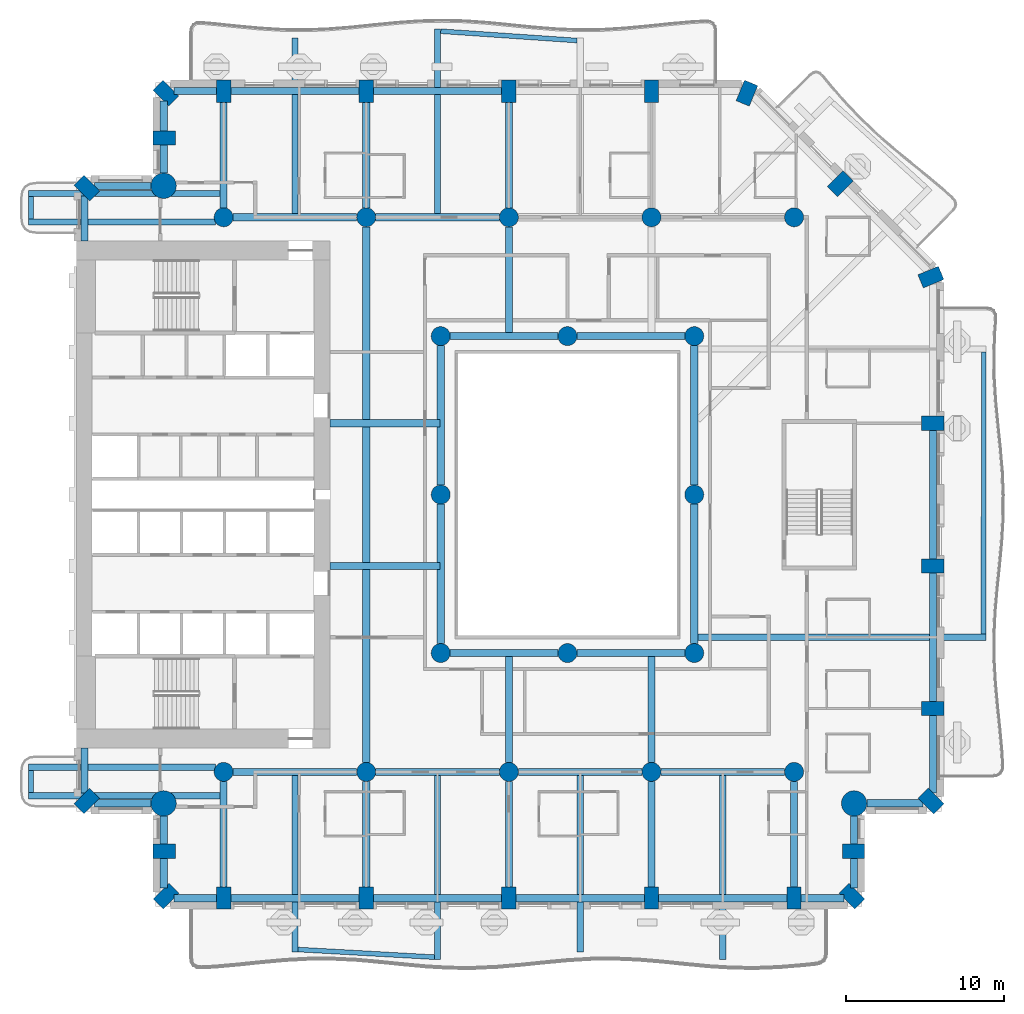
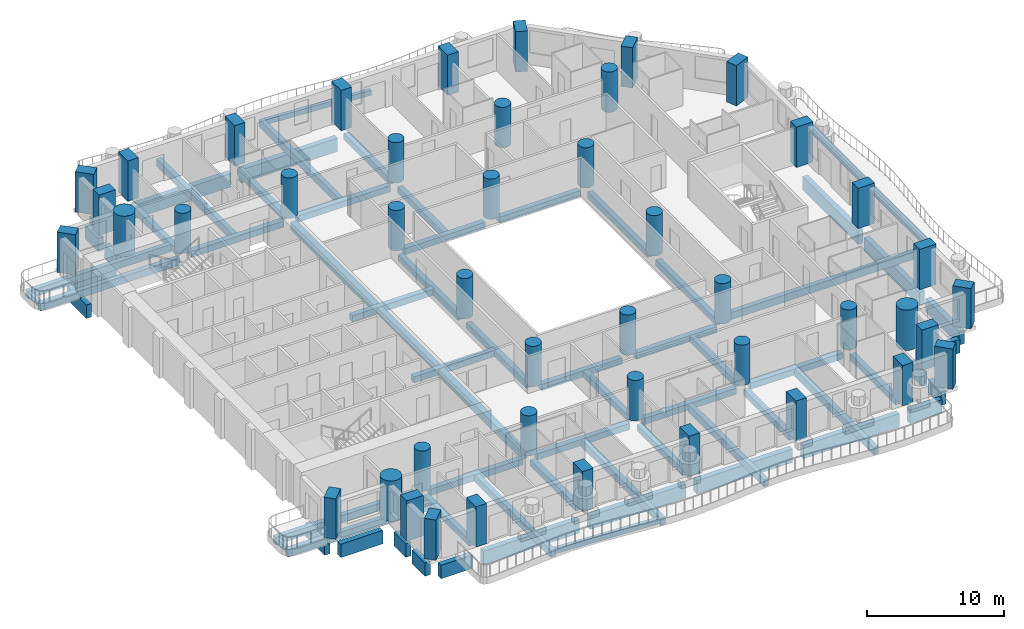
# One storey, part 1 of 20: 69 beams, 45 columns.
"""IFC4 building model written with IfcOpenShell, lengths in metres."""

from ifc_helpers import new_model, si_unit, direction, frame, origin, origin_2d, place, context, subcontext, project, spatial, rectangle, circle, extrude, material, material_profile, profile_set, type_object, element, save


model = new_model("IFC4")

# Units and contexts
model_context = context("Model", 3, precision=1e-05, world=origin(), true_north=direction((0.0, 1.0)))
body_context = subcontext(model_context, "Body", "Model", "MODEL_VIEW")
ifc_project = project(units=[si_unit("LENGTHUNIT", "METRE"), si_unit("AREAUNIT", "SQUARE_METRE"), si_unit("VOLUMEUNIT", "CUBIC_METRE"), si_unit("PLANEANGLEUNIT", "RADIAN"), si_unit("MASSUNIT", "GRAM", prefix="KILO")], contexts=[model_context])

# Site, building, storey
site_placement = place(None, origin())
site = spatial("IfcSite", under=ifc_project, at=site_placement, CompositionType="ELEMENT")
building_placement = place(site_placement, origin())
building = spatial("IfcBuilding", under=site, at=building_placement, Name="Cypress Arch Tower", CompositionType="ELEMENT")
storey_placement = place(building_placement, frame((0.0, 0.0, 77.10009765625)))
storey = spatial("IfcBuildingStorey", under=building, at=storey_placement, Name="L13", CompositionType="ELEMENT", Elevation=77.10009765625)

# Columns
ifc_material_1 = material(Name="Concrete C80/95", Category="concrete")
ifc_material_profile_1 = material_profile(ifc_material_1, rectangle(XDim=0.89990234375, YDim=1.39990234375, at=origin_2d()), Name="RC 900x1400")
ifc_profile_set_1 = profile_set([ifc_material_profile_1], Name="Concrete C80/95")
column_type_1 = type_object("IfcColumnType", Name="Column RC 900x1400 Concrete C80/95", PredefinedType="COLUMN", material=ifc_profile_set_1)
for number, where, z_axis, x_axis, name in (
    (1, (-29.3369140625, 19.3369140625, 0.0), (0.0, 0.0, 1.0), (-0.707106781187, -0.707106781187, 0.0), "Column L13 CA00"),
    (2, (-29.3369140625, -19.3369140625, 0.0), (0.0, 0.0, 1.0), (0.707106781187, -0.707106781187, 0.0), "Column L13 CA01"),
    (3, (-24.449951171875, -22.5, 0.0), (0.0, 0.0, 1.0), (0.0, -1.0, 0.0), "Column L13 CA03"),
    (4, (-24.3369140625, -25.3369140625, 0.0), (0.0, 0.0, 1.0), (0.707106781187, -0.707106781187, 0.0), "Column L13 CA04"),
    (5, (-20.699951171875, -25.449951171875, 0.0), (0.0, 0.0, 1.0), (1.0, 0.0, 0.0), "Column L13 CA05"),
    (6, (-11.699951171875, -25.449951171875, 0.0), (0.0, 0.0, 1.0), (1.0, 0.0, 0.0), "Column L13 CA06"),
    (7, (-2.699951171875, -25.449951171875, 0.0), (0.0, 0.0, 1.0), (1.0, 0.0, 0.0), "Column L13 CA07"),
    (8, (6.300048828125, -25.449951171875, 0.0), (0.0, 0.0, 1.0), (1.0, 0.0, 0.0), "Column L13 CA08"),
    (9, (15.300048828125, -25.449951171875, 0.0), (0.0, 0.0, 1.0), (1.0, 0.0, 0.0), "Column L13 CA09"),
    (10, (18.936767578125, -25.3369140625, 0.0), (0.0, 0.0, 1.0), (0.707106781187, 0.707106781187, 0.0), "Column L13 CA10"),
    (11, (19.050048828125, -22.5, 0.0), (0.0, 0.0, 1.0), (0.0, 1.0, 0.0), "Column L13 CA11"),
    (12, (23.936767578125, -19.3369140625, 0.0), (0.0, 0.0, 1.0), (0.707106781187, 0.707106781187, 0.0), "Column L13 CA13"),
    (13, (24.050048828125, -13.5, 0.0), (0.0, 0.0, 1.0), (0.0, 1.0, 0.0), "Column L13 CA14"),
    (14, (24.050048828125, -4.5, 0.0), (0.0, 0.0, 1.0), (0.0, 1.0, 0.0), "Column L13 CA15"),
    (15, (24.050048828125, 4.5, 0.0), (0.0, 0.0, 1.0), (0.0, 1.0, 0.0), "Column L13 CA16"),
    (16, (23.93115234375, 13.722900390625, 0.0), (0.0, 0.0, 1.0), (-0.382683496864, 0.923879505795, 0.0), "Column L13 CA17"),
    (17, (18.211181640625, 19.611083984375, 0.0), (0.0, 0.0, 1.0), (-0.707106781187, 0.707106781187, 0.0), "Column L13 CA18"),
    (18, (12.322998046875, 25.3310546875, 0.0), (0.0, 0.0, 1.0), (-0.923879505795, 0.382683496864, 0.0), "Column L13 CA19"),
    (19, (6.300048828125, 25.449951171875, 0.0), (0.0, 0.0, 1.0), (-1.0, 0.0, 0.0), "Column L13 CA20"),
    (20, (-2.699951171875, 25.449951171875, 0.0), (0.0, 0.0, 1.0), (-1.0, 0.0, 0.0), "Column L13 CA21"),
    (21, (-11.699951171875, 25.449951171875, 0.0), (0.0, 0.0, 1.0), (-1.0, 0.0, 0.0), "Column L13 CA22"),
    (22, (-20.699951171875, 25.449951171875, 0.0), (0.0, 0.0, 1.0), (-1.0, 0.0, 0.0), "Column L13 CA23"),
    (23, (-24.3369140625, 25.3369140625, 0.0), (0.0, 0.0, 1.0), (-0.707106781187, -0.707106781187, 0.0), "Column L13 CA24"),
    (24, (-24.449951171875, 22.5, 0.0), (0.0, 0.0, 1.0), (0.0, -1.0, 0.0), "Column L13 CA25"),
):
    element("IfcColumn", number, at=place(storey_placement, frame(where, z_axis=z_axis, x_axis=x_axis)), inside=storey, type_object=column_type_1, Name=name, PredefinedType="COLUMN", context=body_context, shape_type="SweptSolid", body=[
        extrude(rectangle(XDim=0.89990234375, YDim=1.39990234375, at=origin_2d()), origin(), (0.0, 0.0, 1.0), 3.599853515625),
    ])
ifc_material_2 = material(Name="Concrete C80/95", Category="concrete")
ifc_material_profile_2 = material_profile(ifc_material_2, circle(Radius=0.60009765625, at=origin_2d()), Name="RC D1200")
ifc_profile_set_2 = profile_set([ifc_material_profile_2], Name="Concrete C80/95")
column_type_2 = type_object("IfcColumnType", Name="Column RC D1200 Concrete C80/95", PredefinedType="COLUMN", material=ifc_profile_set_2)
for number, where, z_axis, x_axis, name in (
    (25, (-20.699951171875, -17.5, 0.0), (0.0, 0.0, 1.0), (1.0, 0.0, 0.0), "Column L13 CIC-L13-CI3S"),
    (26, (-11.699951171875, -17.5, 0.0), (0.0, 0.0, 1.0), (1.0, 0.0, 0.0), "Column L13 CIC-L13-CI4S"),
    (27, (-2.699951171875, -17.5, 0.0), (0.0, 0.0, 1.0), (1.0, 0.0, 0.0), "Column L13 CIC-L13-CI5S"),
    (28, (6.300048828125, -17.5, 0.0), (0.0, 0.0, 1.0), (1.0, 0.0, 0.0), "Column L13 CIC-L13-CI6S"),
    (29, (15.300048828125, -17.5, 0.0), (0.0, 0.0, 1.0), (1.0, 0.0, 0.0), "Column L13 CIC-L13-CI7S"),
    (30, (-20.699951171875, 17.5, 0.0), (0.0, 0.0, 1.0), (1.0, 0.0, 0.0), "Column L13 CIC-L13-CI3N"),
    (31, (-11.699951171875, 17.5, 0.0), (0.0, 0.0, 1.0), (1.0, 0.0, 0.0), "Column L13 CIC-L13-CI4N"),
    (32, (-2.699951171875, 17.5, 0.0), (0.0, 0.0, 1.0), (1.0, 0.0, 0.0), "Column L13 CIC-L13-CI5N"),
    (33, (6.300048828125, 17.5, 0.0), (0.0, 0.0, 1.0), (1.0, 0.0, 0.0), "Column L13 CIC-L13-CI6N"),
    (34, (15.300048828125, 17.5, 0.0), (0.0, 0.0, 1.0), (1.0, 0.0, 0.0), "Column L13 CIC-L13-CI7N"),
    (35, (-7.0, -10.0, 0.0), (0.0, 0.0, 1.0), (1.0, 0.0, 0.0), "Column L13 RNG-L13-G-7-10"),
    (36, (-7.0, 0.0, 0.0), (0.0, 0.0, 1.0), (1.0, 0.0, 0.0), "Column L13 RNG-L13-G-7+0"),
    (37, (-7.0, 10.0, 0.0), (0.0, 0.0, 1.0), (1.0, 0.0, 0.0), "Column L13 RNG-L13-G-7+10"),
    (38, (1.0, -10.0, 0.0), (0.0, 0.0, 1.0), (1.0, 0.0, 0.0), "Column L13 RNG-L13-G+1-10"),
    (39, (1.0, 10.0, 0.0), (0.0, 0.0, 1.0), (1.0, 0.0, 0.0), "Column L13 RNG-L13-G+1+10"),
    (40, (9.0, -10.0, 0.0), (0.0, 0.0, 1.0), (1.0, 0.0, 0.0), "Column L13 RNG-L13-G+9-10"),
    (41, (9.0, 0.0, 0.0), (0.0, 0.0, 1.0), (1.0, 0.0, 0.0), "Column L13 RNG-L13-G+9+0"),
    (42, (9.0, 10.0, 0.0), (0.0, 0.0, 1.0), (1.0, 0.0, 0.0), "Column L13 RNG-L13-G+9+10"),
):
    element("IfcColumn", number, at=place(storey_placement, frame(where, z_axis=z_axis, x_axis=x_axis)), inside=storey, type_object=column_type_2, Name=name, PredefinedType="COLUMN", context=body_context, shape_type="SweptSolid", body=[
        extrude(circle(Radius=0.60009765625, at=origin_2d()), origin(), (0.0, 0.0, 1.0), 3.599853515625),
    ])
ifc_material_3 = material(Name="Concrete C80/95", Category="concrete")
ifc_material_profile_3 = material_profile(ifc_material_3, circle(Radius=0.800048828125, at=origin_2d()), Name="RC D1600")
ifc_profile_set_3 = profile_set([ifc_material_profile_3], Name="Concrete C80/95")
column_type_3 = type_object("IfcColumnType", Name="Mega-column RC D1600 Concrete C80/95", PredefinedType="COLUMN", material=ifc_profile_set_3)
for number, where, z_axis, x_axis, name in (
    (43, (-24.48779296875, -19.48779296875, 0.0), (0.0, 0.0, 1.0), (1.0, 0.0, 0.0), "Column L13 CA02"),
    (44, (19.087890625, -19.48779296875, 0.0), (0.0, 0.0, 1.0), (1.0, 0.0, 0.0), "Column L13 CA12"),
    (45, (-24.48779296875, 19.48779296875, 0.0), (0.0, 0.0, 1.0), (1.0, 0.0, 0.0), "Column L13 CA26"),
):
    element("IfcColumn", number, at=place(storey_placement, frame(where, z_axis=z_axis, x_axis=x_axis)), inside=storey, type_object=column_type_3, Name=name, PredefinedType="COLUMN", context=body_context, shape_type="SweptSolid", body=[
        extrude(circle(Radius=0.800048828125, at=origin_2d()), origin(), (0.0, 0.0, 1.0), 3.599853515625),
    ])

# Beams
ifc_material_4 = material(Name="Concrete C50/60", Category="concrete")
ifc_material_profile_4 = material_profile(ifc_material_4, rectangle(XDim=0.300048828125, YDim=0.449951171875, at=origin_2d()), Name="RC 300x450")
ifc_profile_set_4 = profile_set([ifc_material_profile_4], Name="Concrete C50/60")
beam_type_1 = type_object("IfcBeamType", Name="Balcony edge beam RC 300x450 Concrete C50/60", PredefinedType="BEAM", material=ifc_profile_set_4)
beam_1_placement = place(storey_placement, frame((-16.0, -28.70947265625, -0.525146484375), z_axis=(0.998439878073, -0.05583735195, 0.0), x_axis=(0.05583735195, 0.998439878073, 0.0)))
element("IfcBeam", 46, at=beam_1_placement, inside=storey, type_object=beam_type_1, Name="Balcony edge beam L13 A03", PredefinedType="BEAM", context=body_context, shape_type="SweptSolid", body=[
    extrude(rectangle(XDim=0.300048828125, YDim=0.449951171875, at=origin_2d()), origin(), (0.0, 0.0, 1.0), 8.613525390625),
])
beam_2_placement = place(storey_placement, frame((1.60009765625, 28.65380859375, -0.525146484375), z_axis=(-0.997663993213, 0.068312199842, 0.0), x_axis=(-0.068312199842, -0.997663993213, 0.0)))
element("IfcBeam", 47, at=beam_2_placement, inside=storey, type_object=beam_type_1, Name="Balcony edge beam L13 A08", PredefinedType="BEAM", context=body_context, shape_type="SweptSolid", body=[
    extrude(rectangle(XDim=0.300048828125, YDim=0.449951171875, at=origin_2d()), origin(), (0.0, 0.0, 1.0), 8.6201171875),
])
ifc_material_5 = material(Name="Concrete C50/60", Category="concrete")
ifc_material_profile_5 = material_profile(ifc_material_5, rectangle(XDim=0.300048828125, YDim=0.64990234375, at=origin_2d()), Name="RC 300x650")
ifc_profile_set_5 = profile_set([ifc_material_profile_5], Name="Concrete C50/60")
beam_type_2 = type_object("IfcBeamType", Name="Balcony edge beam RC 300x650 Concrete C50/60", PredefinedType="BEAM", material=ifc_profile_set_5)
beam_3_placement = place(storey_placement, frame((27.257080078125, -8.800048828125, -0.625), z_axis=(0.000494104992, 0.99999987793, 0.0), x_axis=(-0.99999987793, 0.000494104992, 0.0)))
element("IfcBeam", 48, at=beam_3_placement, inside=storey, type_object=beam_type_2, Name="Balcony edge beam L13 A06", PredefinedType="BEAM", context=body_context, shape_type="SweptSolid", body=[
    extrude(rectangle(XDim=0.300048828125, YDim=0.64990234375, at=origin_2d()), origin(), (0.0, 0.0, 1.0), 17.787841796875),
])
ifc_material_6 = material(Name="Concrete C50/60", Category="concrete")
ifc_material_profile_6 = material_profile(ifc_material_6, rectangle(XDim=0.300048828125, YDim=0.39990234375, at=origin_2d()), Name="RC 300x400")
ifc_profile_set_6 = profile_set([ifc_material_profile_6], Name="Concrete C50/60")
beam_type_3 = type_object("IfcBeamType", Name="Balcony stub beam RC 300x400 Concrete C50/60", PredefinedType="BEAM", material=ifc_profile_set_6)
for number, where, z_axis, x_axis, name in (
    (49, (-32.85009765625, 18.800048828125, -0.5), (0.0, -1.0, 0.0), (1.0, 0.0, 0.0), "Balcony stub beam L13 A00W0"),
    (50, (-32.85009765625, -17.39990234375, -0.5), (0.0, -1.0, 0.0), (1.0, 0.0, 0.0), "Balcony stub beam L13 A00W1"),
):
    element("IfcBeam", number, at=place(storey_placement, frame(where, z_axis=z_axis, x_axis=x_axis)), inside=storey, type_object=beam_type_3, Name=name, PredefinedType="BEAM", context=body_context, shape_type="SweptSolid", body=[
        extrude(rectangle(XDim=0.300048828125, YDim=0.39990234375, at=origin_2d()), origin(), (0.0, 0.0, 1.0), 1.400146484375),
    ])
ifc_material_7 = material(Name="Concrete C50/60", Category="concrete")
ifc_material_profile_7 = material_profile(ifc_material_7, rectangle(XDim=0.39990234375, YDim=0.64990234375, at=origin_2d()), Name="RC 400x650")
ifc_profile_set_7 = profile_set([ifc_material_profile_7], Name="Concrete C50/60")
beam_type_4 = type_object("IfcBeamType", Name="Cantilever beam RC 400x650 Concrete C50/60", PredefinedType="BEAM", material=ifc_profile_set_7)
beam_4_placement = place(storey_placement, frame((-20.925048828125, 19.0, -0.625), z_axis=(-1.0, 0.0, 0.0), x_axis=(0.0, -1.0, 0.0)))
element("IfcBeam", 51, at=beam_4_placement, inside=storey, type_object=beam_type_4, Name="Cantilever beam L13 A00 1", PredefinedType="BEAM", context=body_context, shape_type="SweptSolid", body=[
    extrude(rectangle(XDim=0.39990234375, YDim=0.64990234375, at=origin_2d()), origin(), (0.0, 0.0, 1.0), 12.074951171875),
])
for number, where, z_axis, x_axis, name in (
    (52, (-21.219482421875, 17.199951171875, -0.625), (-1.0, 0.0, 0.0), (0.0, -1.0, 0.0), "Cantilever beam L13 A00 2"),
    (53, (-21.219482421875, -17.199951171875, -0.625), (-1.0, 0.0, 0.0), (0.0, -1.0, 0.0), "Cantilever beam L13 A00 1"),
):
    element("IfcBeam", number, at=place(storey_placement, frame(where, z_axis=z_axis, x_axis=x_axis)), inside=storey, type_object=beam_type_4, Name=name, PredefinedType="BEAM", context=body_context, shape_type="SweptSolid", body=[
        extrude(rectangle(XDim=0.39990234375, YDim=0.64990234375, at=origin_2d()), origin(), (0.0, 0.0, 1.0), 11.780517578125),
    ])
beam_5_placement = place(storey_placement, frame((-20.925048828125, -19.0, -0.625), z_axis=(-1.0, 0.0, 0.0), x_axis=(0.0, -1.0, 0.0)))
element("IfcBeam", 54, at=beam_5_placement, inside=storey, type_object=beam_type_4, Name="Cantilever beam L13 A00 2", PredefinedType="BEAM", context=body_context, shape_type="SweptSolid", body=[
    extrude(rectangle(XDim=0.39990234375, YDim=0.64990234375, at=origin_2d()), origin(), (0.0, 0.0, 1.0), 12.074951171875),
])
beam_6_placement = place(storey_placement, frame((-16.199951171875, -17.72509765625, -0.625), z_axis=(0.0, -1.0, 0.0), x_axis=(1.0, 0.0, 0.0)))
element("IfcBeam", 55, at=beam_6_placement, inside=storey, type_object=beam_type_4, Name="Cantilever beam L13 A03 1", PredefinedType="BEAM", context=body_context, shape_type="SweptSolid", body=[
    extrude(rectangle(XDim=0.39990234375, YDim=0.64990234375, at=origin_2d()), origin(), (0.0, 0.0, 1.0), 11.13427734375),
])
beam_7_placement = place(storey_placement, frame((-7.199951171875, -17.72509765625, -0.625), z_axis=(0.0, -1.0, 0.0), x_axis=(1.0, 0.0, 0.0)))
element("IfcBeam", 56, at=beam_7_placement, inside=storey, type_object=beam_type_4, Name="Cantilever beam L13 A03 2", PredefinedType="BEAM", context=body_context, shape_type="SweptSolid", body=[
    extrude(rectangle(XDim=0.39990234375, YDim=0.64990234375, at=origin_2d()), origin(), (0.0, 0.0, 1.0), 11.615234375),
])
beam_8_placement = place(storey_placement, frame((1.800048828125, -17.72509765625, -0.625), z_axis=(0.0, -1.0, 0.0), x_axis=(1.0, 0.0, 0.0)))
element("IfcBeam", 57, at=beam_8_placement, inside=storey, type_object=beam_type_4, Name="Cantilever beam L13 A03 3", PredefinedType="BEAM", context=body_context, shape_type="SweptSolid", body=[
    extrude(rectangle(XDim=0.39990234375, YDim=0.64990234375, at=origin_2d()), origin(), (0.0, 0.0, 1.0), 11.134521484375),
])
beam_9_placement = place(storey_placement, frame((10.800048828125, -17.72509765625, -0.625), z_axis=(0.0, -1.0, 0.0), x_axis=(1.0, 0.0, 0.0)))
element("IfcBeam", 58, at=beam_9_placement, inside=storey, type_object=beam_type_4, Name="Cantilever beam L13 A03 4", PredefinedType="BEAM", context=body_context, shape_type="SweptSolid", body=[
    extrude(rectangle(XDim=0.39990234375, YDim=0.64990234375, at=origin_2d()), origin(), (0.0, 0.0, 1.0), 11.61572265625),
])
beam_10_placement = place(storey_placement, frame((9.22509765625, -9.0, -0.625), z_axis=(1.0, 0.0, 0.0), x_axis=(0.0, 1.0, 0.0)))
element("IfcBeam", 59, at=beam_10_placement, inside=storey, type_object=beam_type_4, Name="Cantilever beam L13 A06 1", PredefinedType="BEAM", context=body_context, shape_type="SweptSolid", body=[
    extrude(rectangle(XDim=0.39990234375, YDim=0.64990234375, at=origin_2d()), origin(), (0.0, 0.0, 1.0), 18.181884765625),
])
beam_11_placement = place(storey_placement, frame((-7.199951171875, 17.72509765625, -0.625), z_axis=(0.0, 1.0, 0.0), x_axis=(-1.0, 0.0, 0.0)))
element("IfcBeam", 60, at=beam_11_placement, inside=storey, type_object=beam_type_4, Name="Cantilever beam L13 A08 2", PredefinedType="BEAM", context=body_context, shape_type="SweptSolid", body=[
    extrude(rectangle(XDim=0.39990234375, YDim=0.64990234375, at=origin_2d()), origin(), (0.0, 0.0, 1.0), 11.66748046875),
])
beam_12_placement = place(storey_placement, frame((-16.199951171875, 17.72509765625, -0.625), z_axis=(0.0, 1.0, 0.0), x_axis=(-1.0, 0.0, 0.0)))
element("IfcBeam", 61, at=beam_12_placement, inside=storey, type_object=beam_type_4, Name="Cantilever beam L13 A08 3", PredefinedType="BEAM", context=body_context, shape_type="SweptSolid", body=[
    extrude(rectangle(XDim=0.39990234375, YDim=0.64990234375, at=origin_2d()), origin(), (0.0, 0.0, 1.0), 11.085693359375),
])
ifc_material_8 = material(Name="Concrete C50/60", Category="concrete")
ifc_material_profile_8 = material_profile(ifc_material_8, rectangle(XDim=0.449951171875, YDim=0.550048828125, at=origin_2d()), Name="RC 450x550")
ifc_profile_set_8 = profile_set([ifc_material_profile_8], Name="Concrete C50/60")
beam_type_5 = type_object("IfcBeamType", Name="Floor beam RC 450x550 Concrete C50/60", PredefinedType="BEAM", material=ifc_profile_set_8)
for number, where, z_axis, x_axis, name in (
    (62, (-7.0, -9.39990234375, -0.5751953125), (0.0, 1.0, 0.0), (-1.0, 0.0, 0.0), "Floor beam L13 RB001"),
    (63, (-7.0, 0.60009765625, -0.5751953125), (0.0, 1.0, 0.0), (-1.0, 0.0, 0.0), "Floor beam L13 RB002"),
    (64, (9.0, -9.39990234375, -0.5751953125), (0.0, 1.0, 0.0), (-1.0, 0.0, 0.0), "Floor beam L13 RB003"),
    (65, (9.0, 0.60009765625, -0.5751953125), (0.0, 1.0, 0.0), (-1.0, 0.0, 0.0), "Floor beam L13 RB004"),
):
    element("IfcBeam", number, at=place(storey_placement, frame(where, z_axis=z_axis, x_axis=x_axis)), inside=storey, type_object=beam_type_5, Name=name, PredefinedType="BEAM", context=body_context, shape_type="SweptSolid", body=[
        extrude(rectangle(XDim=0.449951171875, YDim=0.550048828125, at=origin_2d()), origin(), (0.0, 0.0, 1.0), 8.7998046875),
    ])
for number, where, z_axis, x_axis, name in (
    (66, (-6.39990234375, -10.0, -0.5751953125), (1.0, 0.0, 0.0), (0.0, 1.0, 0.0), "Floor beam L13 RB005"),
    (67, (1.60009765625, -10.0, -0.5751953125), (1.0, 0.0, 0.0), (0.0, 1.0, 0.0), "Floor beam L13 RB006"),
    (68, (-6.39990234375, 10.0, -0.5751953125), (1.0, 0.0, 0.0), (0.0, 1.0, 0.0), "Floor beam L13 RB007"),
    (69, (1.60009765625, 10.0, -0.5751953125), (1.0, 0.0, 0.0), (0.0, 1.0, 0.0), "Floor beam L13 RB008"),
):
    element("IfcBeam", number, at=place(storey_placement, frame(where, z_axis=z_axis, x_axis=x_axis)), inside=storey, type_object=beam_type_5, Name=name, PredefinedType="BEAM", context=body_context, shape_type="SweptSolid", body=[
        extrude(rectangle(XDim=0.449951171875, YDim=0.550048828125, at=origin_2d()), origin(), (0.0, 0.0, 1.0), 6.7998046875),
    ])
for number, where, z_axis, x_axis, name in (
    (70, (-20.10009765625, -17.5, -0.5751953125), (1.0, 0.0, 0.0), (0.0, 1.0, 0.0), "Floor beam L13 FB009"),
    (71, (-11.10009765625, -17.5, -0.5751953125), (1.0, 0.0, 0.0), (0.0, 1.0, 0.0), "Floor beam L13 FB010"),
    (72, (-2.10009765625, -17.5, -0.5751953125), (1.0, 0.0, 0.0), (0.0, 1.0, 0.0), "Floor beam L13 FB011"),
    (73, (6.89990234375, -17.5, -0.5751953125), (1.0, 0.0, 0.0), (0.0, 1.0, 0.0), "Floor beam L13 FB012"),
):
    element("IfcBeam", number, at=place(storey_placement, frame(where, z_axis=z_axis, x_axis=x_axis)), inside=storey, type_object=beam_type_5, Name=name, PredefinedType="BEAM", context=body_context, shape_type="SweptSolid", body=[
        extrude(rectangle(XDim=0.449951171875, YDim=0.550048828125, at=origin_2d()), origin(), (0.0, 0.0, 1.0), 7.800048828125),
    ])
for number, where, z_axis, x_axis, name in (
    (74, (-14.0, -4.5, -0.5751953125), (1.0, 0.0, 0.0), (0.0, 1.0, 0.0), "Floor beam L13 FB013"),
    (75, (-14.0, 4.5, -0.5751953125), (1.0, 0.0, 0.0), (0.0, 1.0, 0.0), "Floor beam L13 FB014"),
):
    element("IfcBeam", number, at=place(storey_placement, frame(where, z_axis=z_axis, x_axis=x_axis)), inside=storey, type_object=beam_type_5, Name=name, PredefinedType="BEAM", context=body_context, shape_type="SweptSolid", body=[
        extrude(rectangle(XDim=0.449951171875, YDim=0.550048828125, at=origin_2d()), origin(), (0.0, 0.0, 1.0), 6.949951171875),
    ])
for number, where, z_axis, x_axis, name in (
    (76, (-20.10009765625, 17.5, -0.5751953125), (1.0, 0.0, 0.0), (0.0, 1.0, 0.0), "Floor beam L13 FB015"),
    (77, (-11.10009765625, 17.5, -0.5751953125), (1.0, 0.0, 0.0), (0.0, 1.0, 0.0), "Floor beam L13 FB016"),
):
    element("IfcBeam", number, at=place(storey_placement, frame(where, z_axis=z_axis, x_axis=x_axis)), inside=storey, type_object=beam_type_5, Name=name, PredefinedType="BEAM", context=body_context, shape_type="SweptSolid", body=[
        extrude(rectangle(XDim=0.449951171875, YDim=0.550048828125, at=origin_2d()), origin(), (0.0, 0.0, 1.0), 7.800048828125),
    ])
for number, where, z_axis, x_axis, name in (
    (78, (-20.699951171875, -24.75, -0.5751953125), (0.0, 1.0, 0.0), (-1.0, 0.0, 0.0), "Floor beam L13 FB019"),
    (79, (-20.699951171875, 18.10009765625, -0.5751953125), (0.0, 1.0, 0.0), (-1.0, 0.0, 0.0), "Floor beam L13 FB020"),
    (80, (-11.699951171875, -24.75, -0.5751953125), (0.0, 1.0, 0.0), (-1.0, 0.0, 0.0), "Floor beam L13 FB021"),
):
    element("IfcBeam", number, at=place(storey_placement, frame(where, z_axis=z_axis, x_axis=x_axis)), inside=storey, type_object=beam_type_5, Name=name, PredefinedType="BEAM", context=body_context, shape_type="SweptSolid", body=[
        extrude(rectangle(XDim=0.449951171875, YDim=0.550048828125, at=origin_2d()), origin(), (0.0, 0.0, 1.0), 6.64990234375),
    ])
beam_13_placement = place(storey_placement, frame((-11.699951171875, -4.27490234375, -0.5751953125), z_axis=(0.0, 1.0, 0.0), x_axis=(-1.0, 0.0, 0.0)))
element("IfcBeam", 81, at=beam_13_placement, inside=storey, type_object=beam_type_5, Name="Floor beam L13 FB023", PredefinedType="BEAM", context=body_context, shape_type="SweptSolid", body=[
    extrude(rectangle(XDim=0.449951171875, YDim=0.550048828125, at=origin_2d()), origin(), (0.0, 0.0, 1.0), 8.5498046875),
])
for number, where, z_axis, x_axis, name in (
    (82, (-11.699951171875, 18.10009765625, -0.5751953125), (0.0, 1.0, 0.0), (-1.0, 0.0, 0.0), "Floor beam L13 FB025"),
    (83, (-2.699951171875, -24.75, -0.5751953125), (0.0, 1.0, 0.0), (-1.0, 0.0, 0.0), "Floor beam L13 FB026"),
):
    element("IfcBeam", number, at=place(storey_placement, frame(where, z_axis=z_axis, x_axis=x_axis)), inside=storey, type_object=beam_type_5, Name=name, PredefinedType="BEAM", context=body_context, shape_type="SweptSolid", body=[
        extrude(rectangle(XDim=0.449951171875, YDim=0.550048828125, at=origin_2d()), origin(), (0.0, 0.0, 1.0), 6.64990234375),
    ])
for number, where, z_axis, x_axis, name in (
    (84, (-2.699951171875, -16.89990234375, -0.5751953125), (0.0, 1.0, 0.0), (-1.0, 0.0, 0.0), "Floor beam L13 FB027"),
    (85, (-2.699951171875, 10.22509765625, -0.5751953125), (0.0, 1.0, 0.0), (-1.0, 0.0, 0.0), "Floor beam L13 FB028"),
):
    element("IfcBeam", number, at=place(storey_placement, frame(where, z_axis=z_axis, x_axis=x_axis)), inside=storey, type_object=beam_type_5, Name=name, PredefinedType="BEAM", context=body_context, shape_type="SweptSolid", body=[
        extrude(rectangle(XDim=0.449951171875, YDim=0.550048828125, at=origin_2d()), origin(), (0.0, 0.0, 1.0), 6.6748046875),
    ])
for number, where, z_axis, x_axis, name in (
    (86, (-2.699951171875, 18.10009765625, -0.5751953125), (0.0, 1.0, 0.0), (-1.0, 0.0, 0.0), "Floor beam L13 FB029"),
    (87, (6.300048828125, -24.75, -0.5751953125), (0.0, 1.0, 0.0), (-1.0, 0.0, 0.0), "Floor beam L13 FB030"),
):
    element("IfcBeam", number, at=place(storey_placement, frame(where, z_axis=z_axis, x_axis=x_axis)), inside=storey, type_object=beam_type_5, Name=name, PredefinedType="BEAM", context=body_context, shape_type="SweptSolid", body=[
        extrude(rectangle(XDim=0.449951171875, YDim=0.550048828125, at=origin_2d()), origin(), (0.0, 0.0, 1.0), 6.64990234375),
    ])
beam_14_placement = place(storey_placement, frame((6.300048828125, -16.89990234375, -0.5751953125), z_axis=(0.0, 1.0, 0.0), x_axis=(-1.0, 0.0, 0.0)))
element("IfcBeam", 88, at=beam_14_placement, inside=storey, type_object=beam_type_5, Name="Floor beam L13 FB031", PredefinedType="BEAM", context=body_context, shape_type="SweptSolid", body=[
    extrude(rectangle(XDim=0.449951171875, YDim=0.550048828125, at=origin_2d()), origin(), (0.0, 0.0, 1.0), 6.6748046875),
])
beam_15_placement = place(storey_placement, frame((15.300048828125, -24.75, -0.5751953125), z_axis=(0.0, 1.0, 0.0), x_axis=(-1.0, 0.0, 0.0)))
element("IfcBeam", 89, at=beam_15_placement, inside=storey, type_object=beam_type_5, Name="Floor beam L13 FB034", PredefinedType="BEAM", context=body_context, shape_type="SweptSolid", body=[
    extrude(rectangle(XDim=0.449951171875, YDim=0.550048828125, at=origin_2d()), origin(), (0.0, 0.0, 1.0), 6.64990234375),
])
ifc_material_9 = material(Name="Concrete C50/60", Category="concrete")
ifc_material_profile_9 = material_profile(ifc_material_9, rectangle(XDim=0.5, YDim=0.699951171875, at=origin_2d()), Name="RC 500x700")
ifc_profile_set_9 = profile_set([ifc_material_profile_9], Name="Concrete C50/60")
beam_type_6 = type_object("IfcBeamType", Name="Floor beam RC 500x700 Concrete C50/60", PredefinedType="BEAM", material=ifc_profile_set_9)
for number, where, z_axis, x_axis, name in (
    (90, (-11.699951171875, -16.89990234375, -0.650146484375), (0.0, 1.0, 0.0), (-1.0, 0.0, 0.0), "Floor beam L13 FB022"),
    (91, (-11.699951171875, 4.72509765625, -0.650146484375), (0.0, 1.0, 0.0), (-1.0, 0.0, 0.0), "Floor beam L13 FB024"),
):
    element("IfcBeam", number, at=place(storey_placement, frame(where, z_axis=z_axis, x_axis=x_axis)), inside=storey, type_object=beam_type_6, Name=name, PredefinedType="BEAM", context=body_context, shape_type="SweptSolid", body=[
        extrude(rectangle(XDim=0.5, YDim=0.699951171875, at=origin_2d()), origin(), (0.0, 0.0, 1.0), 12.1748046875),
    ])
ifc_material_10 = material(Name="Concrete C50/60", Category="concrete")
ifc_material_profile_10 = material_profile(ifc_material_10, rectangle(XDim=0.449951171875, YDim=1.199951171875, at=origin_2d()), Name="RC 450x1200")
ifc_profile_set_10 = profile_set([ifc_material_profile_10], Name="Concrete C50/60")
beam_type_7 = type_object("IfcBeamType", Name="Spandrel beam RC 450x1200 Concrete C50/60", PredefinedType="SPANDREL", material=ifc_profile_set_10)
for number, where, z_axis, x_axis, name in (
    (92, (-29.47509765625, 18.838623046875, -1.550048828125), (0.0, -1.0, 0.0), (1.0, 0.0, 0.0), "Spandrel beam L13 BA00-0"),
    (93, (-29.47509765625, -16.0, -1.550048828125), (0.0, -1.0, 0.0), (1.0, 0.0, 0.0), "Spandrel beam L13 BA00-0"),
):
    element("IfcBeam", number, at=place(storey_placement, frame(where, z_axis=z_axis, x_axis=x_axis)), inside=storey, type_object=beam_type_7, Name=name, PredefinedType="SPANDREL", context=body_context, shape_type="SweptSolid", body=[
        extrude(rectangle(XDim=0.449951171875, YDim=1.199951171875, at=origin_2d()), origin(), (0.0, 0.0, 1.0), 2.838623046875),
    ])
beam_16_placement = place(storey_placement, frame((-28.838623046875, -19.47509765625, -1.550048828125), z_axis=(1.0, 0.0, 0.0), x_axis=(0.0, 1.0, 0.0)))
element("IfcBeam", 94, at=beam_16_placement, inside=storey, type_object=beam_type_7, Name="Spandrel beam L13 BA01-0", PredefinedType="SPANDREL", context=body_context, shape_type="SweptSolid", body=[
    extrude(rectangle(XDim=0.449951171875, YDim=1.199951171875, at=origin_2d()), origin(), (0.0, 0.0, 1.0), 3.551025390625),
])
beam_17_placement = place(storey_placement, frame((-24.47509765625, -20.28759765625, -1.550048828125), z_axis=(0.0, -1.0, 0.0), x_axis=(1.0, 0.0, 0.0)))
element("IfcBeam", 95, at=beam_17_placement, inside=storey, type_object=beam_type_7, Name="Spandrel beam L13 BA02-0", PredefinedType="SPANDREL", context=body_context, shape_type="SweptSolid", body=[
    extrude(rectangle(XDim=0.449951171875, YDim=1.199951171875, at=origin_2d()), origin(), (0.0, 0.0, 1.0), 1.762451171875),
])
beam_18_placement = place(storey_placement, frame((-24.47509765625, -22.949951171875, -1.550048828125), z_axis=(0.0, -1.0, 0.0), x_axis=(1.0, 0.0, 0.0)))
element("IfcBeam", 96, at=beam_18_placement, inside=storey, type_object=beam_type_7, Name="Spandrel beam L13 BA02-1", PredefinedType="SPANDREL", context=body_context, shape_type="SweptSolid", body=[
    extrude(rectangle(XDim=0.449951171875, YDim=1.199951171875, at=origin_2d()), origin(), (0.0, 0.0, 1.0), 1.888671875),
])
beam_19_placement = place(storey_placement, frame((-23.838623046875, -25.47509765625, -1.550048828125), z_axis=(1.0, 0.0, 0.0), x_axis=(0.0, 1.0, 0.0)))
element("IfcBeam", 97, at=beam_19_placement, inside=storey, type_object=beam_type_7, Name="Spandrel beam L13 BA03-0", PredefinedType="SPANDREL", context=body_context, shape_type="SweptSolid", body=[
    extrude(rectangle(XDim=0.449951171875, YDim=1.199951171875, at=origin_2d()), origin(), (0.0, 0.0, 1.0), 2.688720703125),
])
for number, where, z_axis, x_axis, name in (
    (98, (-20.25, -25.47509765625, -1.550048828125), (1.0, 0.0, 0.0), (0.0, 1.0, 0.0), "Spandrel beam L13 BA03-1"),
    (99, (-11.25, -25.47509765625, -1.550048828125), (1.0, 0.0, 0.0), (0.0, 1.0, 0.0), "Spandrel beam L13 BA03-2"),
    (100, (-2.25, -25.47509765625, -1.550048828125), (1.0, 0.0, 0.0), (0.0, 1.0, 0.0), "Spandrel beam L13 BA03-3"),
    (101, (6.75, -25.47509765625, -1.550048828125), (1.0, 0.0, 0.0), (0.0, 1.0, 0.0), "Spandrel beam L13 BA03-4"),
):
    element("IfcBeam", number, at=place(storey_placement, frame(where, z_axis=z_axis, x_axis=x_axis)), inside=storey, type_object=beam_type_7, Name=name, PredefinedType="SPANDREL", context=body_context, shape_type="SweptSolid", body=[
        extrude(rectangle(XDim=0.449951171875, YDim=1.199951171875, at=origin_2d()), origin(), (0.0, 0.0, 1.0), 8.10009765625),
    ])
beam_20_placement = place(storey_placement, frame((15.75, -25.47509765625, -1.550048828125), z_axis=(1.0, 0.0, 0.0), x_axis=(0.0, 1.0, 0.0)))
element("IfcBeam", 102, at=beam_20_placement, inside=storey, type_object=beam_type_7, Name="Spandrel beam L13 BA03-5", PredefinedType="SPANDREL", context=body_context, shape_type="SweptSolid", body=[
    extrude(rectangle(XDim=0.449951171875, YDim=1.199951171875, at=origin_2d()), origin(), (0.0, 0.0, 1.0), 2.688720703125),
])
beam_21_placement = place(storey_placement, frame((19.074951171875, -24.838623046875, -1.550048828125), z_axis=(0.0, 1.0, 0.0), x_axis=(-1.0, 0.0, 0.0)))
element("IfcBeam", 103, at=beam_21_placement, inside=storey, type_object=beam_type_7, Name="Spandrel beam L13 BA04-0", PredefinedType="SPANDREL", context=body_context, shape_type="SweptSolid", body=[
    extrude(rectangle(XDim=0.449951171875, YDim=1.199951171875, at=origin_2d()), origin(), (0.0, 0.0, 1.0), 1.888671875),
])
beam_22_placement = place(storey_placement, frame((19.074951171875, -22.050048828125, -1.550048828125), z_axis=(0.0, 1.0, 0.0), x_axis=(-1.0, 0.0, 0.0)))
element("IfcBeam", 104, at=beam_22_placement, inside=storey, type_object=beam_type_7, Name="Spandrel beam L13 BA04-1", PredefinedType="SPANDREL", context=body_context, shape_type="SweptSolid", body=[
    extrude(rectangle(XDim=0.449951171875, YDim=1.199951171875, at=origin_2d()), origin(), (0.0, 0.0, 1.0), 1.762451171875),
])
beam_23_placement = place(storey_placement, frame((19.887451171875, -19.47509765625, -1.550048828125), z_axis=(1.0, 0.0, 0.0), x_axis=(0.0, 1.0, 0.0)))
element("IfcBeam", 105, at=beam_23_placement, inside=storey, type_object=beam_type_7, Name="Spandrel beam L13 BA05-0", PredefinedType="SPANDREL", context=body_context, shape_type="SweptSolid", body=[
    extrude(rectangle(XDim=0.449951171875, YDim=1.199951171875, at=origin_2d()), origin(), (0.0, 0.0, 1.0), 3.55126953125),
])
beam_24_placement = place(storey_placement, frame((24.074951171875, -18.838623046875, -1.550048828125), z_axis=(0.0, 1.0, 0.0), x_axis=(-1.0, 0.0, 0.0)))
element("IfcBeam", 106, at=beam_24_placement, inside=storey, type_object=beam_type_7, Name="Spandrel beam L13 BA06-0", PredefinedType="SPANDREL", context=body_context, shape_type="SweptSolid", body=[
    extrude(rectangle(XDim=0.449951171875, YDim=1.199951171875, at=origin_2d()), origin(), (0.0, 0.0, 1.0), 4.888671875),
])
for number, where, z_axis, x_axis, name in (
    (107, (24.074951171875, -13.050048828125, -1.550048828125), (0.0, 1.0, 0.0), (-1.0, 0.0, 0.0), "Spandrel beam L13 BA06-1"),
    (108, (24.074951171875, -4.050048828125, -1.550048828125), (0.0, 1.0, 0.0), (-1.0, 0.0, 0.0), "Spandrel beam L13 BA06-2"),
    (109, (-3.14990234375, 25.47509765625, -1.550048828125), (-1.0, 0.0, 0.0), (0.0, -1.0, 0.0), "Spandrel beam L13 BA08-2"),
    (110, (-12.14990234375, 25.47509765625, -1.550048828125), (-1.0, 0.0, 0.0), (0.0, -1.0, 0.0), "Spandrel beam L13 BA08-3"),
):
    element("IfcBeam", number, at=place(storey_placement, frame(where, z_axis=z_axis, x_axis=x_axis)), inside=storey, type_object=beam_type_7, Name=name, PredefinedType="SPANDREL", context=body_context, shape_type="SweptSolid", body=[
        extrude(rectangle(XDim=0.449951171875, YDim=1.199951171875, at=origin_2d()), origin(), (0.0, 0.0, 1.0), 8.10009765625),
    ])
beam_25_placement = place(storey_placement, frame((-21.14990234375, 25.47509765625, -1.550048828125), z_axis=(-1.0, 0.0, 0.0), x_axis=(0.0, -1.0, 0.0)))
element("IfcBeam", 111, at=beam_25_placement, inside=storey, type_object=beam_type_7, Name="Spandrel beam L13 BA08-4", PredefinedType="SPANDREL", context=body_context, shape_type="SweptSolid", body=[
    extrude(rectangle(XDim=0.449951171875, YDim=1.199951171875, at=origin_2d()), origin(), (0.0, 0.0, 1.0), 2.688720703125),
])
beam_26_placement = place(storey_placement, frame((-24.47509765625, 24.838623046875, -1.550048828125), z_axis=(0.0, -1.0, 0.0), x_axis=(1.0, 0.0, 0.0)))
element("IfcBeam", 112, at=beam_26_placement, inside=storey, type_object=beam_type_7, Name="Spandrel beam L13 BA09-0", PredefinedType="SPANDREL", context=body_context, shape_type="SweptSolid", body=[
    extrude(rectangle(XDim=0.449951171875, YDim=1.199951171875, at=origin_2d()), origin(), (0.0, 0.0, 1.0), 1.888671875),
])
beam_27_placement = place(storey_placement, frame((-24.47509765625, 22.050048828125, -1.550048828125), z_axis=(0.0, -1.0, 0.0), x_axis=(1.0, 0.0, 0.0)))
element("IfcBeam", 113, at=beam_27_placement, inside=storey, type_object=beam_type_7, Name="Spandrel beam L13 BA09-1", PredefinedType="SPANDREL", context=body_context, shape_type="SweptSolid", body=[
    extrude(rectangle(XDim=0.449951171875, YDim=1.199951171875, at=origin_2d()), origin(), (0.0, 0.0, 1.0), 1.762451171875),
])
beam_28_placement = place(storey_placement, frame((-25.28759765625, 19.47509765625, -1.550048828125), z_axis=(-1.0, 0.0, 0.0), x_axis=(0.0, -1.0, 0.0)))
element("IfcBeam", 114, at=beam_28_placement, inside=storey, type_object=beam_type_7, Name="Spandrel beam L13 BA10-0", PredefinedType="SPANDREL", context=body_context, shape_type="SweptSolid", body=[
    extrude(rectangle(XDim=0.449951171875, YDim=1.199951171875, at=origin_2d()), origin(), (0.0, 0.0, 1.0), 3.551025390625),
])

save(model, "model.ifc")
